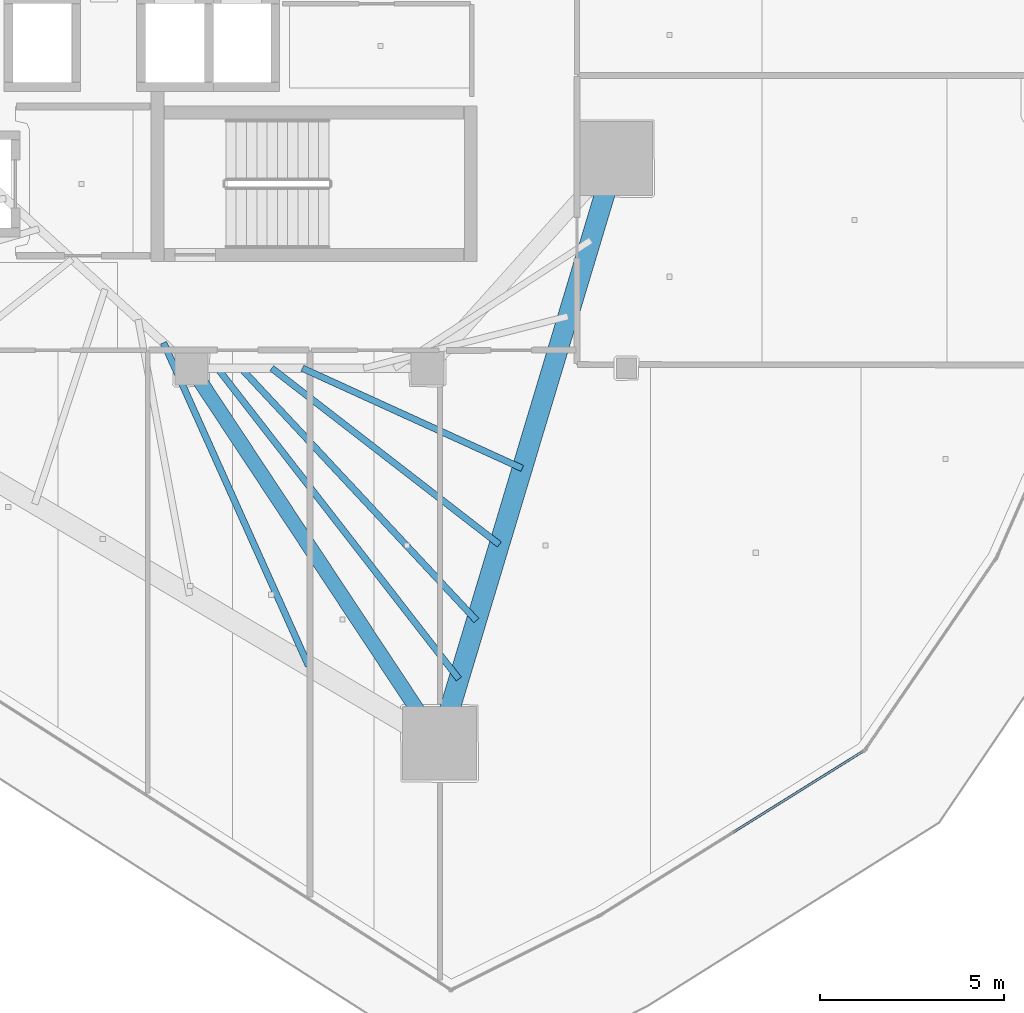
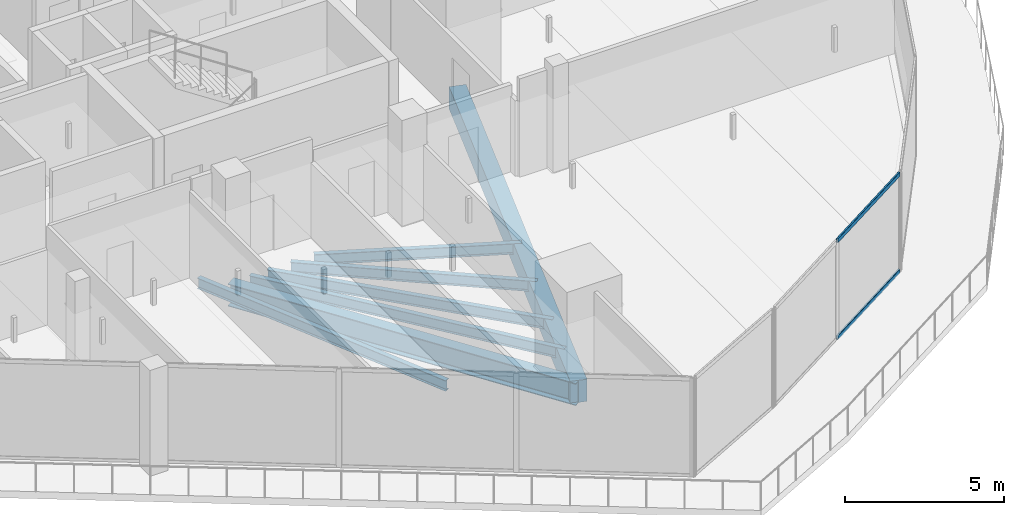
# One storey, part 10 of 37: 7 beams, 2 members, 1 element without a shape of its own.
"""IFC4 building model written with IfcOpenShell, lengths in metres."""

from ifc_helpers import new_model, si_unit, direction, frame, origin, origin_2d, place, context, subcontext, project, spatial, rectangle, hollow_rectangle, i_section, extrude, material, layer, layer_set, material_profile, profile_set, type_object, element, aggregate, save


model = new_model("IFC4")

# Units and contexts
model_context = context("Model", 3, precision=1e-05, world=origin(), true_north=direction((0.0, 1.0)))
body_context = subcontext(model_context, "Body", "Model", "MODEL_VIEW")
ifc_project = project(units=[si_unit("LENGTHUNIT", "METRE"), si_unit("AREAUNIT", "SQUARE_METRE"), si_unit("VOLUMEUNIT", "CUBIC_METRE"), si_unit("PLANEANGLEUNIT", "RADIAN"), si_unit("MASSUNIT", "GRAM", prefix="KILO")], contexts=[model_context])

# Site, building, storey
site_placement = place(None, origin())
site = spatial("IfcSite", under=ifc_project, at=site_placement, CompositionType="ELEMENT")
building_placement = place(site_placement, origin())
building = spatial("IfcBuilding", under=site, at=building_placement, Name="Qorvath Tower", CompositionType="ELEMENT")
storey_placement = place(building_placement, frame((0.0, 0.0, 188.85009765625)))
storey = spatial("IfcBuildingStorey", under=building, at=storey_placement, Name="L43", CompositionType="ELEMENT", Elevation=188.85009765625)

# Beams
ifc_material_1 = material(Name="Steel ASTM A992 Grade 50", Category="steel")
ifc_material_profile_1 = material_profile(ifc_material_1, i_section(OverallWidth=0.39892578125, OverallDepth=0.85498046875, WebThickness=0.018310546875, FlangeThickness=0.029296875, FilletRadius=0.02001953125, at=origin_2d()), Name="W33x201")
ifc_profile_set_1 = profile_set([ifc_material_profile_1], Name="Steel ASTM A992 Grade 50")
beam_type_1 = type_object("IfcBeamType", Name="BM-FG2", PredefinedType="BEAM", material=ifc_profile_set_1)
beam_1_placement = place(storey_placement, frame((-23.60009765625, -11.449951171875, -0.697509765625), z_axis=(0.551500517741, -0.834174549439, 0.0), x_axis=(0.834174549439, 0.551500517741, 0.0)))
element("IfcBeam", 1, at=beam_1_placement, inside=storey, type_object=beam_type_1, Name="Radial Floor Girder CC4-MC3 L43", PredefinedType="BEAM", context=body_context, shape_type="SweptSolid", body=[
    extrude(i_section(OverallWidth=0.39892578125, OverallDepth=0.85498046875, WebThickness=0.018310546875, FlangeThickness=0.029296875, FilletRadius=0.02001953125, at=origin_2d()), origin(), (0.0, 0.0, 1.0), 12.200439453125),
])
ifc_material_2 = material(Name="Steel ASTM A992 Grade 50", Category="steel")
ifc_material_profile_2 = material_profile(ifc_material_2, i_section(OverallWidth=0.177978515625, OverallDepth=0.406005859375, WebThickness=0.0078125, FlangeThickness=0.0126953125, FilletRadius=0.010986328125, at=origin_2d()), Name="W16x40")
ifc_profile_set_2 = profile_set([ifc_material_profile_2], Name="Steel ASTM A992 Grade 50")
beam_type_2 = type_object("IfcBeamType", Name="BM-FJ3", PredefinedType="JOIST", material=ifc_profile_set_2)
beam_2_placement = place(storey_placement, frame((-20.592041015625, -11.449951171875, -0.472900390625), z_axis=(0.909945081179, -0.414728765868, 0.0), x_axis=(0.414728765868, 0.909945081179, 0.0)))
element("IfcBeam", 2, at=beam_2_placement, inside=storey, type_object=beam_type_2, Name="Composite Floor Joist SE4 L43", PredefinedType="JOIST", context=body_context, shape_type="SweptSolid", body=[
    extrude(i_section(OverallWidth=0.177978515625, OverallDepth=0.406005859375, WebThickness=0.0078125, FlangeThickness=0.0126953125, FilletRadius=0.010986328125, at=origin_2d()), origin(), (0.0, 0.0, 1.0), 6.554931640625),
])
beam_3_placement = place(storey_placement, frame((-21.424072265625, -11.449951171875, -0.472900390625), z_axis=(0.790693445503, -0.612212279555, 0.0), x_axis=(0.612212279555, 0.790693445503, 0.0)))
element("IfcBeam", 3, at=beam_3_placement, inside=storey, type_object=beam_type_2, Name="Composite Floor Joist SE5 L43", PredefinedType="JOIST", context=body_context, shape_type="SweptSolid", body=[
    extrude(i_section(OverallWidth=0.177978515625, OverallDepth=0.406005859375, WebThickness=0.0078125, FlangeThickness=0.0126953125, FilletRadius=0.010986328125, at=origin_2d()), origin(), (0.0, 0.0, 1.0), 7.810546875),
])
beam_4_placement = place(storey_placement, frame((-22.256103515625, -11.449951171875, -0.472900390625), z_axis=(0.682249490937, -0.731119437654, 0.0), x_axis=(0.731119437654, 0.682249490937, 0.0)))
element("IfcBeam", 4, at=beam_4_placement, inside=storey, type_object=beam_type_2, Name="Composite Floor Joist SE6 L43", PredefinedType="JOIST", context=body_context, shape_type="SweptSolid", body=[
    extrude(i_section(OverallWidth=0.177978515625, OverallDepth=0.406005859375, WebThickness=0.0078125, FlangeThickness=0.0126953125, FilletRadius=0.010986328125, at=origin_2d()), origin(), (0.0, 0.0, 1.0), 9.362060546875),
])
beam_5_placement = place(storey_placement, frame((-22.89599609375, -11.449951171875, -0.472900390625), z_axis=(0.61345131907, -0.789732536452, 0.0), x_axis=(0.789732536452, 0.61345131907, 0.0)))
element("IfcBeam", 5, at=beam_5_placement, inside=storey, type_object=beam_type_2, Name="Composite Floor Joist SE7 L43", PredefinedType="JOIST", context=body_context, shape_type="SweptSolid", body=[
    extrude(i_section(OverallWidth=0.177978515625, OverallDepth=0.406005859375, WebThickness=0.0078125, FlangeThickness=0.0126953125, FilletRadius=0.010986328125, at=origin_2d()), origin(), (0.0, 0.0, 1.0), 10.676513671875),
])
beam_6_placement = place(storey_placement, frame((-24.35888671875, -10.757080078125, -0.472900390625), z_axis=(0.409327209141, -0.912387656568, 0.0), x_axis=(0.912387656568, 0.409327209141, 0.0)))
element("IfcBeam", 6, at=beam_6_placement, inside=storey, type_object=beam_type_2, Name="Composite Floor Joist SW7 L43", PredefinedType="JOIST", context=body_context, shape_type="SweptSolid", body=[
    extrude(i_section(OverallWidth=0.177978515625, OverallDepth=0.406005859375, WebThickness=0.0078125, FlangeThickness=0.0126953125, FilletRadius=0.010986328125, at=origin_2d()), origin(), (0.0, 0.0, 1.0), 9.611083984375),
])
ifc_material_3 = material(Name="Concrete C50/60", Category="concrete")
ifc_material_profile_3 = material_profile(ifc_material_3, rectangle(XDim=0.550048828125, YDim=0.85009765625, at=origin_2d()), Name="RCB 850x550")
ifc_profile_set_3 = profile_set([ifc_material_profile_3], Name="Concrete C50/60")
beam_type_3 = type_object("IfcBeamType", Name="BM-RCB2", PredefinedType="SPANDREL", material=ifc_profile_set_3)
beam_7_placement = place(storey_placement, frame((-16.87158203125, -21.627197265625, -0.695068359375), z_axis=(0.28812763802, 0.957592013443, 0.0), x_axis=(-0.957592013443, 0.28812763802, 0.0)))
element("IfcBeam", 7, at=beam_7_placement, inside=storey, type_object=beam_type_3, Name="Perimeter Loggia Frame Beam MC3-MC4 L43", PredefinedType="SPANDREL", context=body_context, shape_type="SweptSolid", body=[
    extrude(rectangle(XDim=0.550048828125, YDim=0.85009765625, at=origin_2d()), origin(), (0.0, 0.0, 1.0), 16.572265625),
])

# Curtain wall, members
ifc_material_4 = material(Name="Anodised aluminium and triple low-E glass", Category="aluminium")
ifc_layer = layer(ifc_material_4, 0.179931640625)
ifc_layer_set = layer_set([ifc_layer], Name="CW-SYS-3")
curtain_wall_type = type_object("IfcCurtainWallType", Name="CW-SYS-3", PredefinedType="NOTDEFINED", material=ifc_layer_set)
curtain_wall_placement = place(storey_placement, origin())
curtain_wall = element("IfcCurtainWall", 8, at=curtain_wall_placement, inside=storey, type_object=curtain_wall_type, Name="Curtain Wall CW-3 CW-T-L43-4.1", PredefinedType="NOTDEFINED")
ifc_material_5 = material(Name="Anodised aluminium 6063-T6", Category="aluminium")
ifc_material_profile_4 = material_profile(ifc_material_5, hollow_rectangle(XDim=0.06494140625, YDim=0.159912109375, WallThickness=0.00341796875, InnerFilletRadius=0.00341796875, OuterFilletRadius=0.007080078125, at=origin_2d()), Name="CWT 160x65")
ifc_profile_set_4 = profile_set([ifc_material_profile_4], Name="Anodised aluminium 6063-T6")
member_type = type_object("IfcMemberType", Name="CWT-160", PredefinedType="USERDEFINED", material=ifc_profile_set_4)
member_1_placement = place(storey_placement, frame((-8.896484375, -24.035888671875, 0.032470703125), z_axis=(0.848485399586, 0.529218789056, 0.0), x_axis=(-0.529218789056, 0.848485399586, 0.0)))
member_1 = element("IfcMember", 9, at=member_1_placement, type_object=member_type, Name="CW-3 transom 2.1", ObjectType="TRANSOM", PredefinedType="USERDEFINED", context=body_context, shape_type="SweptSolid", body=[
    extrude(hollow_rectangle(XDim=0.06494140625, YDim=0.159912109375, WallThickness=0.00341796875, InnerFilletRadius=0.00341796875, OuterFilletRadius=0.007080078125, at=origin_2d()), origin(), (0.0, 0.0, 1.0), 4.13623046875),
])
member_2_placement = place(storey_placement, frame((-8.896484375, -24.035888671875, 3.747314453125), z_axis=(0.848485399586, 0.529218789056, 0.0), x_axis=(-0.529218789056, 0.848485399586, 0.0)))
member_2 = element("IfcMember", 10, at=member_2_placement, type_object=member_type, Name="CW-3 transom 2.2", ObjectType="TRANSOM", PredefinedType="USERDEFINED", context=body_context, shape_type="SweptSolid", body=[
    extrude(hollow_rectangle(XDim=0.06494140625, YDim=0.159912109375, WallThickness=0.00341796875, InnerFilletRadius=0.00341796875, OuterFilletRadius=0.007080078125, at=origin_2d()), origin(), (0.0, 0.0, 1.0), 4.13623046875),
])
aggregate(curtain_wall, [member_1, member_2])

save(model, "model.ifc")
